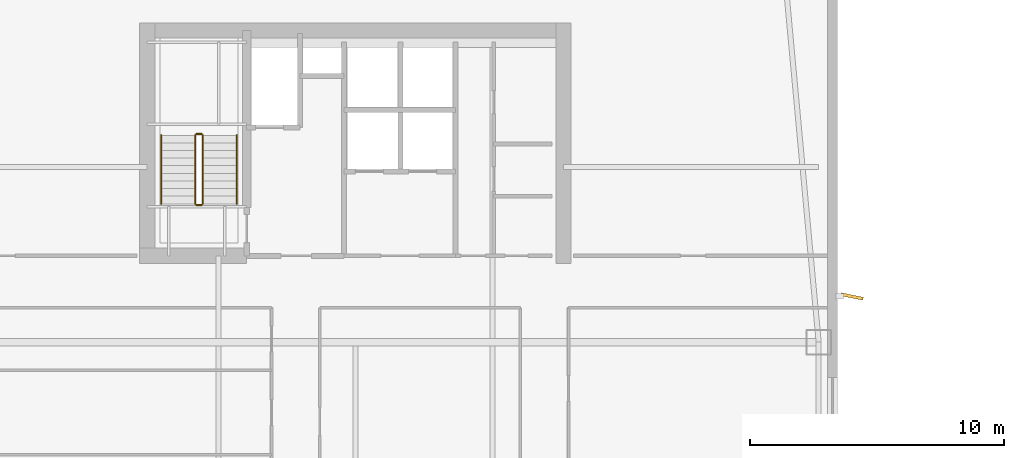
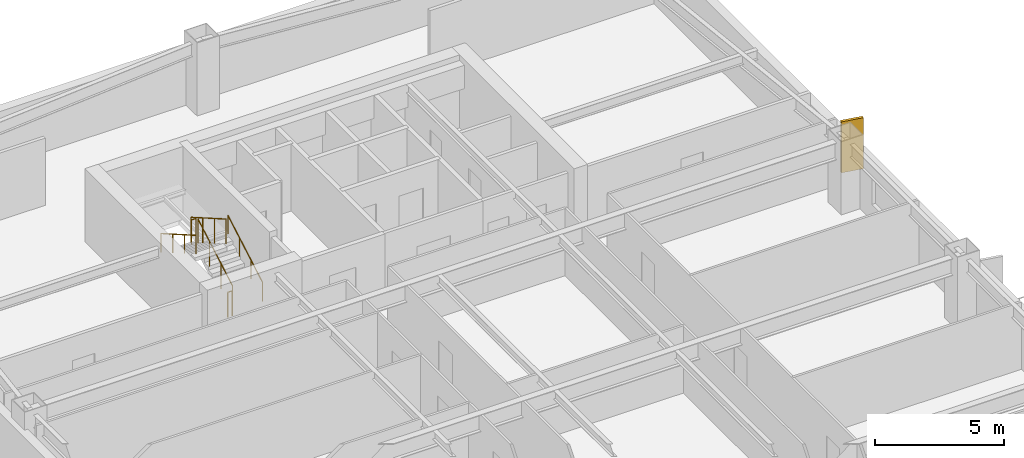
# One storey, part 14 of 16: 6 railings, 1 shading device.
"""IFC4 building model written with IfcOpenShell, lengths in metres."""

from ifc_helpers import new_model, si_unit, direction, frame, origin, origin_2d, place, context, subcontext, project, spatial, rectangle, circle, extrude, material, layer, layer_set, type_object, element, save


model = new_model("IFC4")

# Units and contexts
model_context = context("Model", 3, precision=1e-05, world=origin(), true_north=direction((0.0, 1.0)))
body_context = subcontext(model_context, "Body", "Model", "MODEL_VIEW")
ifc_project = project(units=[si_unit("LENGTHUNIT", "METRE"), si_unit("AREAUNIT", "SQUARE_METRE"), si_unit("VOLUMEUNIT", "CUBIC_METRE"), si_unit("PLANEANGLEUNIT", "RADIAN"), si_unit("MASSUNIT", "GRAM", prefix="KILO")], contexts=[model_context])

# Site, building, storey
site_placement = place(None, origin())
site = spatial("IfcSite", under=ifc_project, at=site_placement, CompositionType="ELEMENT")
building_placement = place(site_placement, origin())
building = spatial("IfcBuilding", under=site, at=building_placement, Name="Qiaolan Cultural Towers", CompositionType="ELEMENT")
storey_placement = place(building_placement, frame((0.0, 0.0, 110.39990234375)))
storey = spatial("IfcBuildingStorey", under=building, at=storey_placement, Name="L28", CompositionType="ELEMENT", Elevation=110.39990234375)

# Railings
ifc_material_1 = material(Name="Galvanized Painted Steel Stair Guardrail", Category="steel")
railing_type_1 = type_object("IfcRailingType", Name="RL-STAIR-GRD", PredefinedType="GUARDRAIL", material=ifc_material_1)
railing_1_placement = place(storey_placement, frame((23.989990234375, 48.449951171875, 0.172607421875)))
element("IfcRailing", 1, at=railing_1_placement, inside=storey, type_object=railing_type_1, Name="L28 ST-W2 stair guard 1", PredefinedType="GUARDRAIL", context=body_context, shape_type="SweptSolid", body=[
    extrude(circle(Radius=0.02392578125, at=origin_2d()), frame((0.0, 0.0, 1.17578125), z_axis=(0.0, 0.866903762492, 0.498475542607), x_axis=(-1.0, 0.0, 0.0)), (0.0, 0.0, 1.0), 3.114501953125),
    extrude(circle(Radius=0.02099609375, at=origin_2d()), origin(), (0.0, 0.0, 1.0), 1.15185546875),
    extrude(circle(Radius=0.02099609375, at=origin_2d()), frame((0.0, 0.89990234375, 0.517578125)), (0.0, 0.0, 1.0), 1.15185546875),
    extrude(circle(Radius=0.02099609375, at=origin_2d()), frame((0.0, 1.800048828125, 1.034912109375)), (0.0, 0.0, 1.0), 1.15185546875),
    extrude(circle(Radius=0.02099609375, at=origin_2d()), frame((0.0, 2.699951171875, 1.552490234375)), (0.0, 0.0, 1.0), 1.15185546875),
])
railing_2_placement = place(storey_placement, frame((23.93994140625, 51.199951171875, 1.72509765625)))
element("IfcRailing", 2, at=railing_2_placement, inside=storey, type_object=railing_type_1, Name="L28 ST-W2 stair guard 2", PredefinedType="GUARDRAIL", context=body_context, shape_type="SweptSolid", body=[
    extrude(circle(Radius=0.02392578125, at=origin_2d()), frame((0.0, 0.0, 1.17578125), z_axis=(-1.0, 0.0, 0.0), x_axis=(0.0, -1.0, 0.0)), (0.0, 0.0, 1.0), 0.199951171875),
    extrude(circle(Radius=0.02099609375, at=origin_2d()), origin(), (0.0, 0.0, 1.0), 1.15185546875),
    extrude(circle(Radius=0.02099609375, at=origin_2d()), frame((-0.199951171875, 0.0, 0.0)), (0.0, 0.0, 1.0), 1.15185546875),
])
railing_3_placement = place(storey_placement, frame((23.68994140625, 51.14990234375, 1.897705078125)))
element("IfcRailing", 3, at=railing_3_placement, inside=storey, type_object=railing_type_1, Name="L28 ST-W2 stair guard 3", PredefinedType="GUARDRAIL", context=body_context, shape_type="SweptSolid", body=[
    extrude(circle(Radius=0.02392578125, at=origin_2d()), frame((0.0, 0.0, 1.17578125), z_axis=(0.0, -0.866903762492, 0.498475542607), x_axis=(1.0, 0.0, 0.0)), (0.0, 0.0, 1.0), 3.114501953125),
    extrude(circle(Radius=0.02099609375, at=origin_2d()), origin(), (0.0, 0.0, 1.0), 1.15185546875),
    extrude(circle(Radius=0.02099609375, at=origin_2d()), frame((0.0, -0.89990234375, 0.517578125)), (0.0, 0.0, 1.0), 1.15185546875),
    extrude(circle(Radius=0.02099609375, at=origin_2d()), frame((0.0, -1.800048828125, 1.034912109375)), (0.0, 0.0, 1.0), 1.15185546875),
    extrude(circle(Radius=0.02099609375, at=origin_2d()), frame((0.0, -2.699951171875, 1.552490234375)), (0.0, 0.0, 1.0), 1.15185546875),
])
railing_4_placement = place(storey_placement, frame((23.93994140625, 48.39990234375, 0.0)))
element("IfcRailing", 4, at=railing_4_placement, inside=storey, type_object=railing_type_1, Name="L28 ST-W2 stair guard 4", PredefinedType="GUARDRAIL", context=body_context, shape_type="SweptSolid", body=[
    extrude(circle(Radius=0.02392578125, at=origin_2d()), frame((0.0, 0.0, 1.17578125), z_axis=(-1.0, 0.0, 0.0), x_axis=(0.0, -1.0, 0.0)), (0.0, 0.0, 1.0), 0.199951171875),
    extrude(circle(Radius=0.02099609375, at=origin_2d()), origin(), (0.0, 0.0, 1.0), 1.15185546875),
    extrude(circle(Radius=0.02099609375, at=origin_2d()), frame((-0.199951171875, 0.0, 0.0)), (0.0, 0.0, 1.0), 1.15185546875),
])
ifc_material_2 = material(Name="Stainless Steel S30408 Tubular Handrail", Category="steel")
railing_type_2 = type_object("IfcRailingType", Name="RL-STAIR-HR", PredefinedType="HANDRAIL", material=ifc_material_2)
railing_5_placement = place(storey_placement, frame((25.330078125, 48.449951171875, 0.172607421875)))
element("IfcRailing", 5, at=railing_5_placement, inside=storey, type_object=railing_type_2, Name="L28 ST-W2 stair handrail 1", PredefinedType="HANDRAIL", context=body_context, shape_type="SweptSolid", body=[
    extrude(circle(Radius=0.02392578125, at=origin_2d()), frame((0.0, 0.0, 0.8759765625), z_axis=(0.0, 0.866903762492, 0.498475542607), x_axis=(-1.0, 0.0, 0.0)), (0.0, 0.0, 1.0), 3.114501953125),
    extrude(circle(Radius=0.02099609375, at=origin_2d()), origin(), (0.0, 0.0, 1.0), 0.851806640625),
    extrude(circle(Radius=0.02099609375, at=origin_2d()), frame((0.0, 0.89990234375, 0.517578125)), (0.0, 0.0, 1.0), 0.851806640625),
    extrude(circle(Radius=0.02099609375, at=origin_2d()), frame((0.0, 1.800048828125, 1.034912109375)), (0.0, 0.0, 1.0), 0.851806640625),
    extrude(circle(Radius=0.02099609375, at=origin_2d()), frame((0.0, 2.699951171875, 1.552490234375)), (0.0, 0.0, 1.0), 0.851806640625),
])
railing_6_placement = place(storey_placement, frame((22.35009765625, 51.14990234375, 1.897705078125)))
element("IfcRailing", 6, at=railing_6_placement, inside=storey, type_object=railing_type_2, Name="L28 ST-W2 stair handrail 2", PredefinedType="HANDRAIL", context=body_context, shape_type="SweptSolid", body=[
    extrude(circle(Radius=0.02392578125, at=origin_2d()), frame((0.0, 0.0, 0.8759765625), z_axis=(0.0, -0.866903762492, 0.498475542607), x_axis=(1.0, 0.0, 0.0)), (0.0, 0.0, 1.0), 3.114501953125),
    extrude(circle(Radius=0.02099609375, at=origin_2d()), origin(), (0.0, 0.0, 1.0), 0.851806640625),
    extrude(circle(Radius=0.02099609375, at=origin_2d()), frame((0.0, -0.89990234375, 0.517578125)), (0.0, 0.0, 1.0), 0.851806640625),
    extrude(circle(Radius=0.02099609375, at=origin_2d()), frame((0.0, -1.800048828125, 1.034912109375)), (0.0, 0.0, 1.0), 0.851806640625),
    extrude(circle(Radius=0.02099609375, at=origin_2d()), frame((0.0, -2.699951171875, 1.552490234375)), (0.0, 0.0, 1.0), 0.851806640625),
])

# Shading device
ifc_material_3 = material(Name="Pierced Warm Terracotta Acoustic Fin", Category="masonry")
ifc_layer = layer(ifc_material_3, 0.1201171875)
ifc_layer_set = layer_set([ifc_layer], Name="Pierced Warm Terracotta Acoustic Fin")
shading_device_type = type_object("IfcShadingDeviceType", Name="SHD-FIN-PIERCED", PredefinedType="USERDEFINED", material=ifc_layer_set)
shading_device_placement = place(storey_placement, frame((49.56005859375, 44.800048828125, 0.10009765625), z_axis=(0.0, 0.0, 1.0), x_axis=(0.979957166978, -0.19920831029, 0.0)))
element("IfcShadingDevice", 7, at=shading_device_placement, inside=storey, type_object=shading_device_type, Name="L28 T1 Expressive Precast Vertical Fin E3", ObjectType="FIN", PredefinedType="USERDEFINED", context=body_context, shape_type="SweptSolid", body=[
    extrude(rectangle(XDim=0.89990234375, YDim=0.1201171875, at=origin_2d()), origin(), (0.0, 0.0, 1.0), 2.409912109375),
])

save(model, "model.ifc")
